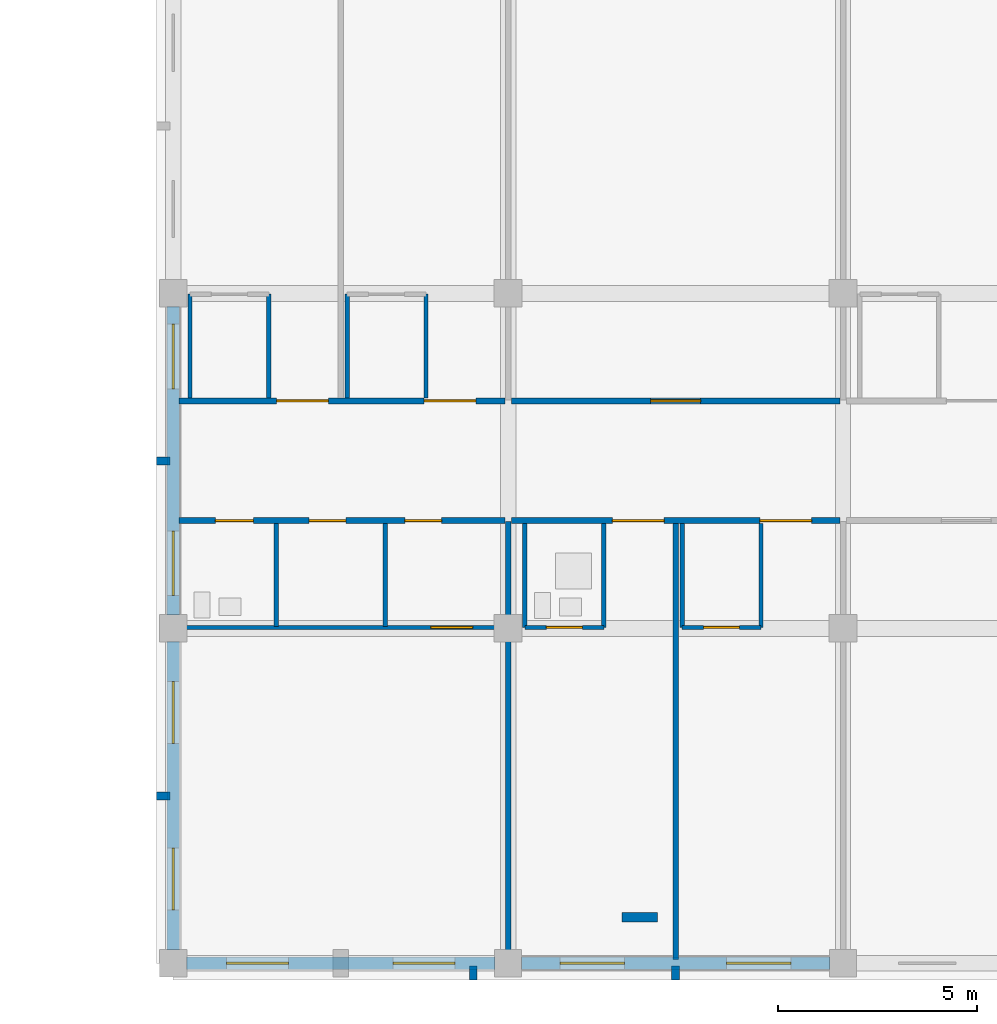
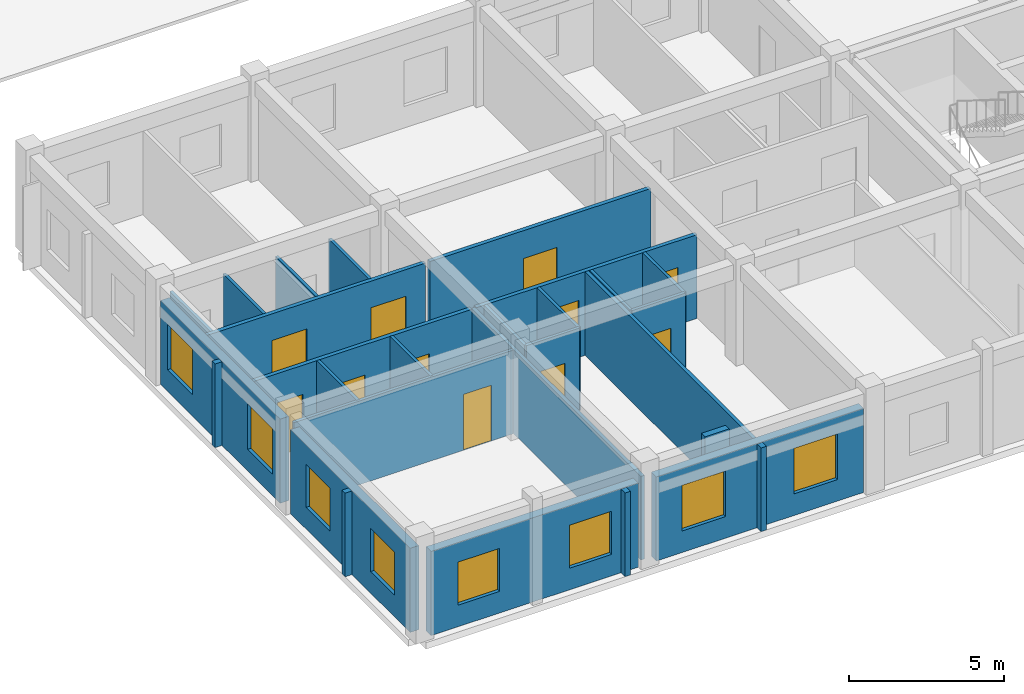
# One storey, part 106 of 140: 28 walls, 11 doors, 8 windows, 19 openings.
"""IFC4 building model written with IfcOpenShell, lengths in metres."""

from ifc_helpers import new_model, si_unit, direction, frame, frame_2d, origin, place, context, subcontext, project, spatial, rectangle, extrude, material, layer, layer_set, type_object, element, fill, save


model = new_model("IFC4")

# Units and contexts
model_context = context("Model", 3, precision=1e-05, world=origin(), true_north=direction((0.0, 1.0)))
body_context = subcontext(model_context, "Body", "Model", "MODEL_VIEW")
ifc_project = project(units=[si_unit("LENGTHUNIT", "METRE"), si_unit("AREAUNIT", "SQUARE_METRE"), si_unit("VOLUMEUNIT", "CUBIC_METRE"), si_unit("PLANEANGLEUNIT", "RADIAN"), si_unit("MASSUNIT", "GRAM", prefix="KILO")], contexts=[model_context])

# Site, building, storey
site_placement = place(None, origin())
site = spatial("IfcSite", under=ifc_project, at=site_placement, CompositionType="ELEMENT")
building_placement = place(site_placement, origin())
building = spatial("IfcBuilding", under=site, at=building_placement, Name="Trelvath General Hospital", CompositionType="ELEMENT")
storey_placement = place(building_placement, frame((0.0, 0.0, 16.199951171875)))
storey = spatial("IfcBuildingStorey", under=building, at=storey_placement, Name="L04", CompositionType="ELEMENT", Elevation=16.199951171875)

# Walls
ifc_material_1 = material(Name="Precast concrete C40/50", Category="concrete")
ifc_layer_1 = layer(ifc_material_1, 0.199951171875)
ifc_layer_set_1 = layer_set([ifc_layer_1], Name="Precast concrete C40/50")
wall_type_1 = type_object("IfcWallType", Name="BriseSoleilRib 200", PredefinedType="ELEMENTEDWALL", material=ifc_layer_set_1)
for number, where, z_axis, x_axis, name in (
    (1, (24.323974609375, -0.074951171875, 0.0), (0.0, 0.0, 1.0), (0.0, -1.0, 0.0), "Precast Concrete Brise-Soleil Rib Fin L04-302"),
    (2, (16.72509765625, 4.199951171875, 0.0), (0.0, 0.0, 1.0), (-1.0, 0.0, 0.0), "Precast Concrete Brise-Soleil Rib Fin L04-303"),
    (3, (16.72509765625, 12.60009765625, 0.0), (0.0, 0.0, 1.0), (-1.0, 0.0, 0.0), "Precast Concrete Brise-Soleil Rib Fin L04-304"),
    (4, (29.39990234375, -0.074951171875, 0.0), (0.0, 0.0, 1.0), (0.0, -1.0, 0.0), "Precast Concrete Brise-Soleil Rib Fin L04-312"),
):
    element("IfcWall", number, at=place(storey_placement, frame(where, z_axis=z_axis, x_axis=x_axis)), inside=storey, type_object=wall_type_1, Name=name, PredefinedType="ELEMENTEDWALL", context=body_context, shape_type="SweptSolid", body=[
        extrude(rectangle(XDim=0.340087890625, YDim=0.199951171875, at=frame_2d((0.169921875, 0.0))), origin(), (0.0, 0.0, 1.0), 3.300048828125),
    ])

# Wall, openings, doors
ifc_material_2 = material(Name="Gypsum acoustic steel-stud partition", Category="steel")
ifc_layer_2 = layer(ifc_material_2, 0.14990234375)
ifc_layer_set_2 = layer_set([ifc_layer_2], Name="Gypsum acoustic steel-stud partition")
wall_type_2 = type_object("IfcWallType", Name="ClinicalPartition 150", PredefinedType="PARTITIONING", material=ifc_layer_set_2)
wall_1_placement = place(storey_placement, frame((16.93994140625, 11.10009765625, 0.0), z_axis=(0.0, 0.0, 1.0), x_axis=(1.0, 0.0, 0.0)))
wall_1 = element("IfcWall", 5, at=wall_1_placement, inside=storey, type_object=wall_type_2, Name="Corridor Partition L04-1406", PredefinedType="PARTITIONING", context=body_context, shape_type="SweptSolid", body=[
    extrude(rectangle(XDim=8.18017578125, YDim=0.14990234375, at=frame_2d((4.090087890625, 0.0))), origin(), (0.0, 0.0, 1.0), 3.300048828125),
])
opening_1_placement = place(wall_1_placement, frame((0.919921875, 0.0, 0.0)))
opening_1 = element("IfcOpeningElement", 6, at=opening_1_placement, cuts=wall_1, Name="Opening D-4-0991", PredefinedType="OPENING", context=body_context, shape_type="SweptSolid", body=[
    extrude(rectangle(XDim=0.949951171875, YDim=2.14990234375, at=frame_2d((0.47509765625, 1.074951171875))), frame((0.0, 0.0849609375, 0.0), z_axis=(0.0, -1.0, 0.0), x_axis=(1.0, 0.0, 0.0)), (0.0, 0.0, 1.0), 0.169921875),
])
opening_2_placement = place(wall_1_placement, frame((3.27001953125, 0.0, 0.0)))
opening_2 = element("IfcOpeningElement", 7, at=opening_2_placement, cuts=wall_1, Name="Opening D-4-0992", PredefinedType="OPENING", context=body_context, shape_type="SweptSolid", body=[
    extrude(rectangle(XDim=0.919921875, YDim=2.10009765625, at=frame_2d((0.4599609375, 1.050048828125))), frame((0.0, 0.0849609375, 0.0), z_axis=(0.0, -1.0, 0.0), x_axis=(1.0, 0.0, 0.0)), (0.0, 0.0, 1.0), 0.169921875),
])
opening_3_placement = place(wall_1_placement, frame((5.669921875, 0.0, 0.0)))
opening_3 = element("IfcOpeningElement", 8, at=opening_3_placement, cuts=wall_1, Name="Opening D-4-0993", PredefinedType="OPENING", context=body_context, shape_type="SweptSolid", body=[
    extrude(rectangle(XDim=0.919921875, YDim=2.10009765625, at=frame_2d((0.4599609375, 1.050048828125))), frame((0.0, 0.0849609375, 0.0), z_axis=(0.0, -1.0, 0.0), x_axis=(1.0, 0.0, 0.0)), (0.0, 0.0, 1.0), 0.169921875),
])
ifc_material_3 = material(Name="Moisture-sealed timber leaf", Category="wood")
door_type_1 = type_object("IfcDoorType", Name="Door AccessibleWC 950x2150", OperationType="NOTDEFINED", PredefinedType="DOOR", material=ifc_material_3)
door_1_placement = place(opening_1_placement, origin())
door_1 = element("IfcDoor", 9, at=door_1_placement, inside=storey, type_object=door_type_1, Name="Accessible WC Door L04-991", OperationType="SINGLE_SWING_LEFT", OverallHeight=2.14990234375, OverallWidth=0.949951171875, PredefinedType="DOOR", context=body_context, shape_type="SweptSolid", body=[
    extrude(rectangle(XDim=0.949951171875, YDim=2.14990234375, at=frame_2d((0.47509765625, 1.074951171875))), frame((0.0, 0.02490234375, 0.0), z_axis=(0.0, -1.0, 0.0), x_axis=(1.0, 0.0, 0.0)), (0.0, 0.0, 1.0), 0.050048828125),
])
fill(opening_1, door_1)
ifc_material_4 = material(Name="Moisture-sealed timber leaf", Category="wood")
door_type_2 = type_object("IfcDoorType", Name="Door StaffWC 920x2100", OperationType="NOTDEFINED", PredefinedType="DOOR", material=ifc_material_4)
door_2_placement = place(opening_2_placement, origin())
door_2 = element("IfcDoor", 10, at=door_2_placement, inside=storey, type_object=door_type_2, Name="Public WC Door L04-992", OperationType="SINGLE_SWING_RIGHT", OverallHeight=2.10009765625, OverallWidth=0.919921875, PredefinedType="DOOR", context=body_context, shape_type="SweptSolid", body=[
    extrude(rectangle(XDim=0.919921875, YDim=2.10009765625, at=frame_2d((0.4599609375, 1.050048828125))), frame((0.0, 0.02490234375, 0.0), z_axis=(0.0, -1.0, 0.0), x_axis=(1.0, 0.0, 0.0)), (0.0, 0.0, 1.0), 0.050048828125),
])
fill(opening_2, door_2)
door_3_placement = place(opening_3_placement, origin())
door_3 = element("IfcDoor", 11, at=door_3_placement, inside=storey, type_object=door_type_2, Name="Staff WC Door L04-993", OperationType="SINGLE_SWING_LEFT", OverallHeight=2.10009765625, OverallWidth=0.919921875, PredefinedType="DOOR", context=body_context, shape_type="SweptSolid", body=[
    extrude(rectangle(XDim=0.919921875, YDim=2.10009765625, at=frame_2d((0.4599609375, 1.050048828125))), frame((0.0, 0.02490234375, 0.0), z_axis=(0.0, -1.0, 0.0), x_axis=(1.0, 0.0, 0.0)), (0.0, 0.0, 1.0), 0.050048828125),
])
fill(opening_3, door_3)

wall_2_placement = place(storey_placement, frame((25.1201171875, 14.10009765625, 0.0), z_axis=(0.0, 0.0, 1.0), x_axis=(-1.0, 0.0, 0.0)))
wall_2 = element("IfcWall", 12, at=wall_2_placement, inside=storey, type_object=wall_type_2, Name="Corridor Partition N L04-1410", PredefinedType="PARTITIONING", context=body_context, shape_type="SweptSolid", body=[
    extrude(rectangle(XDim=8.18017578125, YDim=0.14990234375, at=frame_2d((4.090087890625, 0.0))), origin(), (0.0, 0.0, 1.0), 3.300048828125),
])
opening_4_placement = place(wall_2_placement, frame((0.72998046875, 0.0, 0.0)))
opening_4 = element("IfcOpeningElement", 13, at=opening_4_placement, cuts=wall_2, Name="Opening D-4-0995", PredefinedType="OPENING", context=body_context, shape_type="SweptSolid", body=[
    extrude(rectangle(XDim=1.300048828125, YDim=2.25, at=frame_2d((0.64990234375, 1.125))), frame((0.0, 0.0849609375, 0.0), z_axis=(0.0, -1.0, 0.0), x_axis=(1.0, 0.0, 0.0)), (0.0, 0.0, 1.0), 0.169921875),
])
opening_5_placement = place(wall_2_placement, frame((4.429931640625, 0.0, 0.0)))
opening_5 = element("IfcOpeningElement", 14, at=opening_5_placement, cuts=wall_2, Name="Opening D-4-0996", PredefinedType="OPENING", context=body_context, shape_type="SweptSolid", body=[
    extrude(rectangle(XDim=1.300048828125, YDim=2.25, at=frame_2d((0.64990234375, 1.125))), frame((0.0, 0.0849609375, 0.0), z_axis=(0.0, -1.0, 0.0), x_axis=(1.0, 0.0, 0.0)), (0.0, 0.0, 1.0), 0.169921875),
])
ifc_material_5 = material(Name="Hospital bed-leaf timber door", Category="wood")
door_type_3 = type_object("IfcDoorType", Name="Door PatientBed 1300x2250", OperationType="NOTDEFINED", PredefinedType="DOOR", material=ifc_material_5)
door_4_placement = place(opening_4_placement, origin())
door_4 = element("IfcDoor", 15, at=door_4_placement, inside=storey, type_object=door_type_3, Name="Patient Room Door N L04-995", OperationType="SINGLE_SWING_LEFT", OverallHeight=2.25, OverallWidth=1.300048828125, PredefinedType="DOOR", context=body_context, shape_type="SweptSolid", body=[
    extrude(rectangle(XDim=1.300048828125, YDim=2.25, at=frame_2d((0.64990234375, 1.125))), frame((0.0, 0.02490234375, 0.0), z_axis=(0.0, -1.0, 0.0), x_axis=(1.0, 0.0, 0.0)), (0.0, 0.0, 1.0), 0.050048828125),
])
fill(opening_4, door_4)
door_5_placement = place(opening_5_placement, origin())
door_5 = element("IfcDoor", 16, at=door_5_placement, inside=storey, type_object=door_type_3, Name="Patient Room Door N L04-996", OperationType="SINGLE_SWING_LEFT", OverallHeight=2.25, OverallWidth=1.300048828125, PredefinedType="DOOR", context=body_context, shape_type="SweptSolid", body=[
    extrude(rectangle(XDim=1.300048828125, YDim=2.25, at=frame_2d((0.64990234375, 1.125))), frame((0.0, 0.02490234375, 0.0), z_axis=(0.0, -1.0, 0.0), x_axis=(1.0, 0.0, 0.0)), (0.0, 0.0, 1.0), 0.050048828125),
])
fill(opening_5, door_5)

wall_3_placement = place(storey_placement, frame((25.280029296875, 11.10009765625, 0.0), z_axis=(0.0, 0.0, 1.0), x_axis=(1.0, 0.0, 0.0)))
wall_3 = element("IfcWall", 17, at=wall_3_placement, inside=storey, type_object=wall_type_2, Name="Corridor Partition L04-1420", PredefinedType="PARTITIONING", context=body_context, shape_type="SweptSolid", body=[
    extrude(rectangle(XDim=8.239990234375, YDim=0.14990234375, at=frame_2d((4.1201171875, 0.0))), origin(), (0.0, 0.0, 1.0), 3.300048828125),
])
opening_6_placement = place(wall_3_placement, frame((2.530029296875, 0.0, 0.0)))
opening_6 = element("IfcOpeningElement", 18, at=opening_6_placement, cuts=wall_3, Name="Opening D-4-0999", PredefinedType="OPENING", context=body_context, shape_type="SweptSolid", body=[
    extrude(rectangle(XDim=1.300048828125, YDim=2.25, at=frame_2d((0.64990234375, 1.125))), frame((0.0, 0.0849609375, 0.0), z_axis=(0.0, -1.0, 0.0), x_axis=(1.0, 0.0, 0.0)), (0.0, 0.0, 1.0), 0.169921875),
])
opening_7_placement = place(wall_3_placement, frame((6.22998046875, 0.0, 0.0)))
opening_7 = element("IfcOpeningElement", 19, at=opening_7_placement, cuts=wall_3, Name="Opening D-4-1000", PredefinedType="OPENING", context=body_context, shape_type="SweptSolid", body=[
    extrude(rectangle(XDim=1.300048828125, YDim=2.25, at=frame_2d((0.64990234375, 1.125))), frame((0.0, 0.0849609375, 0.0), z_axis=(0.0, -1.0, 0.0), x_axis=(1.0, 0.0, 0.0)), (0.0, 0.0, 1.0), 0.169921875),
])
door_6_placement = place(opening_6_placement, origin())
door_6 = element("IfcDoor", 20, at=door_6_placement, inside=storey, type_object=door_type_3, Name="Patient Room Door L04-999", OperationType="SINGLE_SWING_RIGHT", OverallHeight=2.25, OverallWidth=1.300048828125, PredefinedType="DOOR", context=body_context, shape_type="SweptSolid", body=[
    extrude(rectangle(XDim=1.300048828125, YDim=2.25, at=frame_2d((0.64990234375, 1.125))), frame((0.0, 0.02490234375, 0.0), z_axis=(0.0, -1.0, 0.0), x_axis=(1.0, 0.0, 0.0)), (0.0, 0.0, 1.0), 0.050048828125),
])
fill(opening_6, door_6)
door_7_placement = place(opening_7_placement, origin())
door_7 = element("IfcDoor", 21, at=door_7_placement, inside=storey, type_object=door_type_3, Name="Patient Room Door L04-1000", OperationType="SINGLE_SWING_LEFT", OverallHeight=2.25, OverallWidth=1.300048828125, PredefinedType="DOOR", context=body_context, shape_type="SweptSolid", body=[
    extrude(rectangle(XDim=1.300048828125, YDim=2.25, at=frame_2d((0.64990234375, 1.125))), frame((0.0, 0.02490234375, 0.0), z_axis=(0.0, -1.0, 0.0), x_axis=(1.0, 0.0, 0.0)), (0.0, 0.0, 1.0), 0.050048828125),
])
fill(opening_7, door_7)

# Wall, opening, door
wall_4_placement = place(storey_placement, frame((33.52001953125, 14.10009765625, 0.0), z_axis=(0.0, 0.0, 1.0), x_axis=(-1.0, 0.0, 0.0)))
wall_4 = element("IfcWall", 22, at=wall_4_placement, inside=storey, type_object=wall_type_2, Name="Corridor Partition N L04-1429", PredefinedType="PARTITIONING", context=body_context, shape_type="SweptSolid", body=[
    extrude(rectangle(XDim=8.239990234375, YDim=0.14990234375, at=frame_2d((4.1201171875, 0.0))), origin(), (0.0, 0.0, 1.0), 3.300048828125),
])
opening_8_placement = place(wall_4_placement, frame((3.4951171875, 0.0, 0.0)))
opening_8 = element("IfcOpeningElement", 23, at=opening_8_placement, cuts=wall_4, Name="Opening D-4-1003", PredefinedType="OPENING", context=body_context, shape_type="SweptSolid", body=[
    extrude(rectangle(XDim=1.25, YDim=2.199951171875, at=frame_2d((0.625, 1.10009765625))), frame((0.0, 0.0849609375, 0.0), z_axis=(0.0, -1.0, 0.0), x_axis=(1.0, 0.0, 0.0)), (0.0, 0.0, 1.0), 0.169921875),
])
ifc_material_6 = material(Name="Acoustic hospital timber leaf", Category="wood")
door_type_4 = type_object("IfcDoorType", Name="Door Treatment 1250x2200", OperationType="NOTDEFINED", PredefinedType="DOOR", material=ifc_material_6)
door_8_placement = place(opening_8_placement, origin())
door_8 = element("IfcDoor", 24, at=door_8_placement, inside=storey, type_object=door_type_4, Name="Clinical Room Door L04-1003", OperationType="SINGLE_SWING_RIGHT", OverallHeight=2.199951171875, OverallWidth=1.25, PredefinedType="DOOR", context=body_context, shape_type="SweptSolid", body=[
    extrude(rectangle(XDim=1.25, YDim=2.199951171875, at=frame_2d((0.625, 1.10009765625))), frame((0.0, 0.02490234375, 0.0), z_axis=(0.0, -1.0, 0.0), x_axis=(1.0, 0.0, 0.0)), (0.0, 0.0, 1.0), 0.050048828125),
])
fill(opening_8, door_8)

# Walls
ifc_material_7 = material(Name="Moisture-resistant tile partition")
ifc_layer_3 = layer(ifc_material_7, 0.110107421875)
ifc_layer_set_3 = layer_set([ifc_layer_3], Name="Moisture-resistant tile partition")
wall_type_3 = type_object("IfcWallType", Name="EnSuiteWetWall 110", PredefinedType="PARTITIONING", material=ifc_layer_set_3)
for number, where, z_axis, x_axis, name in (
    (25, (19.3798828125, 8.43994140625, 0.0), (0.0, 0.0, 1.0), (0.0, 1.0, 0.0), "WC Dividing Wall L04-1407"),
    (26, (22.1201171875, 8.43994140625, 0.0), (0.0, 0.0, 1.0), (0.0, 1.0, 0.0), "WC Dividing Wall L04-1408"),
):
    element("IfcWall", number, at=place(storey_placement, frame(where, z_axis=z_axis, x_axis=x_axis)), inside=storey, type_object=wall_type_3, Name=name, PredefinedType="PARTITIONING", context=body_context, shape_type="SweptSolid", body=[
        extrude(rectangle(XDim=2.590087890625, YDim=0.110107421875, at=frame_2d((1.294921875, 0.0))), origin(), (0.0, 0.0, 1.0), 3.300048828125),
    ])

# Wall, opening, door
wall_5_placement = place(storey_placement, frame((16.93994140625, 8.419921875, 0.0), z_axis=(0.0, 0.0, 1.0), x_axis=(1.0, 0.0, 0.0)))
wall_5 = element("IfcWall", 27, at=wall_5_placement, inside=storey, type_object=wall_type_3, Name="Nurse Station Partition L04-1409", PredefinedType="PARTITIONING", context=body_context, shape_type="SweptSolid", body=[
    extrude(rectangle(XDim=8.18017578125, YDim=0.110107421875, at=frame_2d((4.090087890625, 0.0))), origin(), (0.0, 0.0, 1.0), 3.300048828125),
])
opening_9_placement = place(wall_5_placement, frame((6.320068359375, 0.0, 0.0)))
opening_9 = element("IfcOpeningElement", 28, at=opening_9_placement, cuts=wall_5, Name="Opening D-4-0994", PredefinedType="OPENING", context=body_context, shape_type="SweptSolid", body=[
    extrude(rectangle(XDim=1.050048828125, YDim=2.199951171875, at=frame_2d((0.52490234375, 1.10009765625))), frame((0.0, 0.06494140625, 0.0), z_axis=(0.0, -1.0, 0.0), x_axis=(1.0, 0.0, 0.0)), (0.0, 0.0, 1.0), 0.130126953125),
])
ifc_material_8 = material(Name="Acoustic hospital timber leaf", Category="wood")
door_type_5 = type_object("IfcDoorType", Name="Door Consult 1050x2200", OperationType="NOTDEFINED", PredefinedType="DOOR", material=ifc_material_8)
door_9_placement = place(opening_9_placement, origin())
door_9 = element("IfcDoor", 29, at=door_9_placement, inside=storey, type_object=door_type_5, Name="Nurse Station Door L04-994", OperationType="SINGLE_SWING_RIGHT", OverallHeight=2.199951171875, OverallWidth=1.050048828125, PredefinedType="DOOR", context=body_context, shape_type="SweptSolid", body=[
    extrude(rectangle(XDim=1.050048828125, YDim=2.199951171875, at=frame_2d((0.52490234375, 1.10009765625))), frame((0.0, 0.02490234375, 0.0), z_axis=(0.0, -1.0, 0.0), x_axis=(1.0, 0.0, 0.0)), (0.0, 0.0, 1.0), 0.050048828125),
])
fill(opening_9, door_9)

# Walls
for number, where, z_axis, x_axis, name in (
    (30, (17.219970703125, 14.169921875, 0.0), (0.0, 0.0, 1.0), (0.0, 1.0, 0.0), "En-Suite W Wall N L04-1412"),
    (31, (19.199951171875, 14.169921875, 0.0), (0.0, 0.0, 1.0), (0.0, 1.0, 0.0), "En-Suite E Wall N L04-1413"),
    (32, (21.159912109375, 14.169921875, 0.0), (0.0, 0.0, 1.0), (0.0, 1.0, 0.0), "En-Suite W Wall N L04-1415"),
    (33, (23.139892578125, 14.169921875, 0.0), (0.0, 0.0, 1.0), (0.0, 1.0, 0.0), "En-Suite E Wall N L04-1416"),
    (34, (25.6201171875, 8.419921875, 0.0), (0.0, 0.0, 1.0), (0.0, 1.0, 0.0), "En-Suite W Wall L04-1422"),
    (35, (27.60009765625, 8.419921875, 0.0), (0.0, 0.0, 1.0), (0.0, 1.0, 0.0), "En-Suite E Wall L04-1423"),
):
    element("IfcWall", number, at=place(storey_placement, frame(where, z_axis=z_axis, x_axis=x_axis)), inside=storey, type_object=wall_type_3, Name=name, PredefinedType="PARTITIONING", context=body_context, shape_type="SweptSolid", body=[
        extrude(rectangle(XDim=2.610107421875, YDim=0.110107421875, at=frame_2d((1.30517578125, 0.0))), origin(), (0.0, 0.0, 1.0), 3.300048828125),
    ])

# Wall, opening, door
wall_6_placement = place(storey_placement, frame((25.6201171875, 8.419921875, 0.0), z_axis=(0.0, 0.0, 1.0), x_axis=(1.0, 0.0, 0.0)))
wall_6 = element("IfcWall", 36, at=wall_6_placement, inside=storey, type_object=wall_type_3, Name="En-Suite Bathroom Partition L04-1424", PredefinedType="PARTITIONING", context=body_context, shape_type="SweptSolid", body=[
    extrude(rectangle(XDim=1.97998046875, YDim=0.110107421875, at=frame_2d((0.989990234375, 0.0))), origin(), (0.0, 0.0, 1.0), 3.300048828125),
])
opening_10_placement = place(wall_6_placement, frame((0.5400390625, 0.0, 0.0)))
opening_10 = element("IfcOpeningElement", 37, at=opening_10_placement, cuts=wall_6, Name="Opening D-4-1001", PredefinedType="OPENING", context=body_context, shape_type="SweptSolid", body=[
    extrude(rectangle(XDim=0.89990234375, YDim=2.10009765625, at=frame_2d((0.449951171875, 1.050048828125))), frame((0.0, 0.06494140625, 0.0), z_axis=(0.0, -1.0, 0.0), x_axis=(1.0, 0.0, 0.0)), (0.0, 0.0, 1.0), 0.130126953125),
])
ifc_material_9 = material(Name="Moisture-sealed timber leaf", Category="wood")
door_type_6 = type_object("IfcDoorType", Name="Door EnSuite 900x2100", OperationType="NOTDEFINED", PredefinedType="DOOR", material=ifc_material_9)
door_10_placement = place(opening_10_placement, origin())
door_10 = element("IfcDoor", 38, at=door_10_placement, inside=storey, type_object=door_type_6, Name="En-Suite Bathroom Door L04-1001", OperationType="SINGLE_SWING_RIGHT", OverallHeight=2.10009765625, OverallWidth=0.89990234375, PredefinedType="DOOR", context=body_context, shape_type="SweptSolid", body=[
    extrude(rectangle(XDim=0.89990234375, YDim=2.10009765625, at=frame_2d((0.449951171875, 1.050048828125))), frame((0.0, 0.02490234375, 0.0), z_axis=(0.0, -1.0, 0.0), x_axis=(1.0, 0.0, 0.0)), (0.0, 0.0, 1.0), 0.050048828125),
])
fill(opening_10, door_10)

# Walls
for number, where, z_axis, x_axis, name in (
    (39, (29.56005859375, 8.419921875, 0.0), (0.0, 0.0, 1.0), (0.0, 1.0, 0.0), "En-Suite W Wall L04-1425"),
    (40, (31.5400390625, 8.419921875, 0.0), (0.0, 0.0, 1.0), (0.0, 1.0, 0.0), "En-Suite E Wall L04-1426"),
):
    element("IfcWall", number, at=place(storey_placement, frame(where, z_axis=z_axis, x_axis=x_axis)), inside=storey, type_object=wall_type_3, Name=name, PredefinedType="PARTITIONING", context=body_context, shape_type="SweptSolid", body=[
        extrude(rectangle(XDim=2.610107421875, YDim=0.110107421875, at=frame_2d((1.30517578125, 0.0))), origin(), (0.0, 0.0, 1.0), 3.300048828125),
    ])

# Wall, opening, door
wall_7_placement = place(storey_placement, frame((29.56005859375, 8.419921875, 0.0), z_axis=(0.0, 0.0, 1.0), x_axis=(1.0, 0.0, 0.0)))
wall_7 = element("IfcWall", 41, at=wall_7_placement, inside=storey, type_object=wall_type_3, Name="En-Suite Bathroom Partition L04-1427", PredefinedType="PARTITIONING", context=body_context, shape_type="SweptSolid", body=[
    extrude(rectangle(XDim=1.97998046875, YDim=0.110107421875, at=frame_2d((0.989990234375, 0.0))), origin(), (0.0, 0.0, 1.0), 3.300048828125),
])
opening_11_placement = place(wall_7_placement, frame((0.5400390625, 0.0, 0.0)))
opening_11 = element("IfcOpeningElement", 42, at=opening_11_placement, cuts=wall_7, Name="Opening D-4-1002", PredefinedType="OPENING", context=body_context, shape_type="SweptSolid", body=[
    extrude(rectangle(XDim=0.89990234375, YDim=2.10009765625, at=frame_2d((0.449951171875, 1.050048828125))), frame((0.0, 0.06494140625, 0.0), z_axis=(0.0, -1.0, 0.0), x_axis=(1.0, 0.0, 0.0)), (0.0, 0.0, 1.0), 0.130126953125),
])
door_11_placement = place(opening_11_placement, origin())
door_11 = element("IfcDoor", 43, at=door_11_placement, inside=storey, type_object=door_type_6, Name="En-Suite Bathroom Door L04-1002", OperationType="SINGLE_SWING_LEFT", OverallHeight=2.10009765625, OverallWidth=0.89990234375, PredefinedType="DOOR", context=body_context, shape_type="SweptSolid", body=[
    extrude(rectangle(XDim=0.89990234375, YDim=2.10009765625, at=frame_2d((0.449951171875, 1.050048828125))), frame((0.0, 0.02490234375, 0.0), z_axis=(0.0, -1.0, 0.0), x_axis=(1.0, 0.0, 0.0)), (0.0, 0.0, 1.0), 0.050048828125),
])
fill(opening_11, door_11)

# Wall, openings, windows
ifc_material_10 = material(Name="Concrete C35/45", Category="concrete")
ifc_layer_4 = layer(ifc_material_10, 0.320068359375)
ifc_layer_set_4 = layer_set([ifc_layer_4], Name="Concrete C35/45")
wall_type_4 = type_object("IfcWallType", Name="ExtThermalWall 320", PredefinedType="SOLIDWALL", material=ifc_layer_set_4)
wall_8_placement = place(storey_placement, frame((24.864990234375, 0.0, 0.0), z_axis=(0.0, 0.0, 1.0), x_axis=(-1.0, 0.0, 0.0)))
wall_8 = element("IfcWall", 44, at=wall_8_placement, inside=storey, type_object=wall_type_4, Name="Exterior Concrete Wall L04-420", PredefinedType="SOLIDWALL", context=body_context, shape_type="SweptSolid", body=[
    extrude(rectangle(XDim=7.72998046875, YDim=0.320068359375, at=frame_2d((3.864990234375, 0.0))), origin(), (0.0, 0.0, 1.0), 3.320068359375),
])
opening_12_placement = place(wall_8_placement, frame((0.997802734375, 0.0, 0.85009765625)))
opening_12 = element("IfcOpeningElement", 45, at=opening_12_placement, cuts=wall_8, Name="Opening WN-4-689", PredefinedType="OPENING", context=body_context, shape_type="SweptSolid", body=[
    extrude(rectangle(XDim=1.56005859375, YDim=1.699951171875, at=frame_2d((0.780029296875, 0.85009765625))), frame((0.0, 0.169921875, 0.0), z_axis=(0.0, -1.0, 0.0), x_axis=(1.0, 0.0, 0.0)), (0.0, 0.0, 1.0), 0.340087890625),
])
opening_13_placement = place(wall_8_placement, frame((5.172119140625, 0.0, 0.85009765625)))
opening_13 = element("IfcOpeningElement", 46, at=opening_13_placement, cuts=wall_8, Name="Opening WN-4-690", PredefinedType="OPENING", context=body_context, shape_type="SweptSolid", body=[
    extrude(rectangle(XDim=1.56005859375, YDim=1.699951171875, at=frame_2d((0.780029296875, 0.85009765625))), frame((0.0, 0.169921875, 0.0), z_axis=(0.0, -1.0, 0.0), x_axis=(1.0, 0.0, 0.0)), (0.0, 0.0, 1.0), 0.340087890625),
])
ifc_material_11 = material(Name="Low-E laminated glass", Category="glass")
window_type_1 = type_object("IfcWindowType", Name="Window Dialysis 1560x1700", PartitioningType="DOUBLE_PANEL_VERTICAL", PredefinedType="WINDOW", material=ifc_material_11)
window_1_placement = place(opening_12_placement, origin())
window_1 = element("IfcWindow", 47, at=window_1_placement, inside=storey, type_object=window_type_1, Name="Solar Reveal Window L04-689", OverallHeight=1.699951171875, OverallWidth=1.56005859375, PartitioningType="SINGLE_PANEL", PredefinedType="WINDOW", context=body_context, shape_type="SweptSolid", body=[
    extrude(rectangle(XDim=1.56005859375, YDim=1.699951171875, at=frame_2d((0.780029296875, 0.85009765625))), frame((0.0, 0.030029296875, 0.0), z_axis=(0.0, -1.0, 0.0), x_axis=(1.0, 0.0, 0.0)), (0.0, 0.0, 1.0), 0.06005859375),
])
fill(opening_12, window_1)
window_2_placement = place(opening_13_placement, origin())
window_2 = element("IfcWindow", 48, at=window_2_placement, inside=storey, type_object=window_type_1, Name="Solar Reveal Window L04-690", OverallHeight=1.699951171875, OverallWidth=1.56005859375, PartitioningType="SINGLE_PANEL", PredefinedType="WINDOW", context=body_context, shape_type="SweptSolid", body=[
    extrude(rectangle(XDim=1.56005859375, YDim=1.699951171875, at=frame_2d((0.780029296875, 0.85009765625))), frame((0.0, 0.030029296875, 0.0), z_axis=(0.0, -1.0, 0.0), x_axis=(1.0, 0.0, 0.0)), (0.0, 0.0, 1.0), 0.06005859375),
])
fill(opening_13, window_2)

wall_9_placement = place(storey_placement, frame((16.800048828125, 0.3349609375, 0.0), z_axis=(0.0, 0.0, 1.0), x_axis=(0.0, 1.0, 0.0)))
wall_9 = element("IfcWall", 49, at=wall_9_placement, inside=storey, type_object=wall_type_4, Name="Exterior Concrete Wall L04-421", PredefinedType="SOLIDWALL", context=body_context, shape_type="SweptSolid", body=[
    extrude(rectangle(XDim=7.72998046875, YDim=0.320068359375, at=frame_2d((3.864990234375, 0.0))), origin(), (0.0, 0.0, 1.0), 3.320068359375),
])
opening_14_placement = place(wall_9_placement, frame((0.997802734375, 0.0, 0.85009765625)))
opening_14 = element("IfcOpeningElement", 50, at=opening_14_placement, cuts=wall_9, Name="Opening WN-4-691", PredefinedType="OPENING", context=body_context, shape_type="SweptSolid", body=[
    extrude(rectangle(XDim=1.56005859375, YDim=1.699951171875, at=frame_2d((0.780029296875, 0.85009765625))), frame((0.0, 0.169921875, 0.0), z_axis=(0.0, -1.0, 0.0), x_axis=(1.0, 0.0, 0.0)), (0.0, 0.0, 1.0), 0.340087890625),
])
opening_15_placement = place(wall_9_placement, frame((5.172119140625, 0.0, 0.85009765625)))
opening_15 = element("IfcOpeningElement", 51, at=opening_15_placement, cuts=wall_9, Name="Opening WN-4-692", PredefinedType="OPENING", context=body_context, shape_type="SweptSolid", body=[
    extrude(rectangle(XDim=1.56005859375, YDim=1.699951171875, at=frame_2d((0.780029296875, 0.85009765625))), frame((0.0, 0.169921875, 0.0), z_axis=(0.0, -1.0, 0.0), x_axis=(1.0, 0.0, 0.0)), (0.0, 0.0, 1.0), 0.340087890625),
])
window_3_placement = place(opening_14_placement, origin())
window_3 = element("IfcWindow", 52, at=window_3_placement, inside=storey, type_object=window_type_1, Name="Solar Reveal Window L04-691", OverallHeight=1.699951171875, OverallWidth=1.56005859375, PartitioningType="SINGLE_PANEL", PredefinedType="WINDOW", context=body_context, shape_type="SweptSolid", body=[
    extrude(rectangle(XDim=1.56005859375, YDim=1.699951171875, at=frame_2d((0.780029296875, 0.85009765625))), frame((0.0, 0.030029296875, 0.0), z_axis=(0.0, -1.0, 0.0), x_axis=(1.0, 0.0, 0.0)), (0.0, 0.0, 1.0), 0.06005859375),
])
fill(opening_14, window_3)
window_4_placement = place(opening_15_placement, origin())
window_4 = element("IfcWindow", 53, at=window_4_placement, inside=storey, type_object=window_type_1, Name="Solar Reveal Window L04-692", OverallHeight=1.699951171875, OverallWidth=1.56005859375, PartitioningType="SINGLE_PANEL", PredefinedType="WINDOW", context=body_context, shape_type="SweptSolid", body=[
    extrude(rectangle(XDim=1.56005859375, YDim=1.699951171875, at=frame_2d((0.780029296875, 0.85009765625))), frame((0.0, 0.030029296875, 0.0), z_axis=(0.0, -1.0, 0.0), x_axis=(1.0, 0.0, 0.0)), (0.0, 0.0, 1.0), 0.06005859375),
])
fill(opening_15, window_4)

wall_10_placement = place(storey_placement, frame((16.800048828125, 8.735107421875, 0.0), z_axis=(0.0, 0.0, 1.0), x_axis=(0.0, 1.0, 0.0)))
wall_10 = element("IfcWall", 54, at=wall_10_placement, inside=storey, type_object=wall_type_4, Name="Exterior Concrete Wall L04-422", PredefinedType="SOLIDWALL", context=body_context, shape_type="SweptSolid", body=[
    extrude(rectangle(XDim=7.72998046875, YDim=0.320068359375, at=frame_2d((3.864990234375, 0.0))), origin(), (0.0, 0.0, 1.0), 3.320068359375),
])
opening_16_placement = place(wall_10_placement, frame((0.489990234375, 0.0, 0.85009765625)))
opening_16 = element("IfcOpeningElement", 55, at=opening_16_placement, cuts=wall_10, Name="Opening WN-4-693", PredefinedType="OPENING", context=body_context, shape_type="SweptSolid", body=[
    extrude(rectangle(XDim=1.6201171875, YDim=1.800048828125, at=frame_2d((0.81005859375, 0.89990234375))), frame((0.0, 0.169921875, 0.0), z_axis=(0.0, -1.0, 0.0), x_axis=(1.0, 0.0, 0.0)), (0.0, 0.0, 1.0), 0.340087890625),
])
opening_17_placement = place(wall_10_placement, frame((5.669921875, 0.0, 0.85009765625)))
opening_17 = element("IfcOpeningElement", 56, at=opening_17_placement, cuts=wall_10, Name="Opening WN-4-694", PredefinedType="OPENING", context=body_context, shape_type="SweptSolid", body=[
    extrude(rectangle(XDim=1.6201171875, YDim=1.800048828125, at=frame_2d((0.81005859375, 0.89990234375))), frame((0.0, 0.169921875, 0.0), z_axis=(0.0, -1.0, 0.0), x_axis=(1.0, 0.0, 0.0)), (0.0, 0.0, 1.0), 0.340087890625),
])
ifc_material_12 = material(Name="Low-E laminated glass", Category="glass")
window_type_2 = type_object("IfcWindowType", Name="Window Rehab 1620x1800", PartitioningType="DOUBLE_PANEL_VERTICAL", PredefinedType="WINDOW", material=ifc_material_12)
window_5_placement = place(opening_16_placement, origin())
window_5 = element("IfcWindow", 57, at=window_5_placement, inside=storey, type_object=window_type_2, Name="Solar Reveal Window L04-693", OverallHeight=1.800048828125, OverallWidth=1.6201171875, PartitioningType="SINGLE_PANEL", PredefinedType="WINDOW", context=body_context, shape_type="SweptSolid", body=[
    extrude(rectangle(XDim=1.6201171875, YDim=1.800048828125, at=frame_2d((0.81005859375, 0.89990234375))), frame((0.0, 0.030029296875, 0.0), z_axis=(0.0, -1.0, 0.0), x_axis=(1.0, 0.0, 0.0)), (0.0, 0.0, 1.0), 0.06005859375),
])
fill(opening_16, window_5)
window_6_placement = place(opening_17_placement, origin())
window_6 = element("IfcWindow", 58, at=window_6_placement, inside=storey, type_object=window_type_2, Name="Solar Reveal Window L04-694", OverallHeight=1.800048828125, OverallWidth=1.6201171875, PartitioningType="SINGLE_PANEL", PredefinedType="WINDOW", context=body_context, shape_type="SweptSolid", body=[
    extrude(rectangle(XDim=1.6201171875, YDim=1.800048828125, at=frame_2d((0.81005859375, 0.89990234375))), frame((0.0, 0.030029296875, 0.0), z_axis=(0.0, -1.0, 0.0), x_axis=(1.0, 0.0, 0.0)), (0.0, 0.0, 1.0), 0.06005859375),
])
fill(opening_17, window_6)

wall_11_placement = place(storey_placement, frame((33.264892578125, 0.0, 0.0), z_axis=(0.0, 0.0, 1.0), x_axis=(-1.0, 0.0, 0.0)))
wall_11 = element("IfcWall", 59, at=wall_11_placement, inside=storey, type_object=wall_type_4, Name="Exterior Concrete Wall L04-430", PredefinedType="SOLIDWALL", context=body_context, shape_type="SweptSolid", body=[
    extrude(rectangle(XDim=7.72998046875, YDim=0.320068359375, at=frame_2d((3.864990234375, 0.0))), origin(), (0.0, 0.0, 1.0), 3.320068359375),
])
opening_18_placement = place(wall_11_placement, frame((0.968017578125, 0.0, 0.85009765625)))
opening_18 = element("IfcOpeningElement", 60, at=opening_18_placement, cuts=wall_11, Name="Opening WN-4-709", PredefinedType="OPENING", context=body_context, shape_type="SweptSolid", body=[
    extrude(rectangle(XDim=1.6201171875, YDim=1.800048828125, at=frame_2d((0.81005859375, 0.89990234375))), frame((0.0, 0.169921875, 0.0), z_axis=(0.0, -1.0, 0.0), x_axis=(1.0, 0.0, 0.0)), (0.0, 0.0, 1.0), 0.340087890625),
])
opening_19_placement = place(wall_11_placement, frame((5.14208984375, 0.0, 0.85009765625)))
opening_19 = element("IfcOpeningElement", 61, at=opening_19_placement, cuts=wall_11, Name="Opening WN-4-710", PredefinedType="OPENING", context=body_context, shape_type="SweptSolid", body=[
    extrude(rectangle(XDim=1.6201171875, YDim=1.800048828125, at=frame_2d((0.81005859375, 0.89990234375))), frame((0.0, 0.169921875, 0.0), z_axis=(0.0, -1.0, 0.0), x_axis=(1.0, 0.0, 0.0)), (0.0, 0.0, 1.0), 0.340087890625),
])
window_7_placement = place(opening_18_placement, origin())
window_7 = element("IfcWindow", 62, at=window_7_placement, inside=storey, type_object=window_type_2, Name="Solar Reveal Window L04-709", OverallHeight=1.800048828125, OverallWidth=1.6201171875, PartitioningType="SINGLE_PANEL", PredefinedType="WINDOW", context=body_context, shape_type="SweptSolid", body=[
    extrude(rectangle(XDim=1.6201171875, YDim=1.800048828125, at=frame_2d((0.81005859375, 0.89990234375))), frame((0.0, 0.030029296875, 0.0), z_axis=(0.0, -1.0, 0.0), x_axis=(1.0, 0.0, 0.0)), (0.0, 0.0, 1.0), 0.06005859375),
])
fill(opening_18, window_7)
window_8_placement = place(opening_19_placement, origin())
window_8 = element("IfcWindow", 63, at=window_8_placement, inside=storey, type_object=window_type_2, Name="Solar Reveal Window L04-710", OverallHeight=1.800048828125, OverallWidth=1.6201171875, PartitioningType="SINGLE_PANEL", PredefinedType="WINDOW", context=body_context, shape_type="SweptSolid", body=[
    extrude(rectangle(XDim=1.6201171875, YDim=1.800048828125, at=frame_2d((0.81005859375, 0.89990234375))), frame((0.0, 0.030029296875, 0.0), z_axis=(0.0, -1.0, 0.0), x_axis=(1.0, 0.0, 0.0)), (0.0, 0.0, 1.0), 0.06005859375),
])
fill(opening_19, window_8)

# Walls
ifc_material_13 = material(Name="Masonry service chase blockwork", Category="masonry")
ifc_layer_5 = layer(ifc_material_13, 0.239990234375)
ifc_layer_set_5 = layer_set([ifc_layer_5], Name="Masonry service chase blockwork")
wall_type_5 = type_object("IfcWallType", Name="PlumbingChaseWall 240", PredefinedType="PLUMBINGWALL", material=ifc_layer_set_5)
wall_12_placement = place(storey_placement, frame((28.050048828125, 1.14990234375, 0.0), z_axis=(0.0, 0.0, 1.0), x_axis=(1.0, 0.0, 0.0)))
element("IfcWall", 64, at=wall_12_placement, inside=storey, type_object=wall_type_5, Name="Medical Gas Plumbing Chase L04-1428", PredefinedType="PLUMBINGWALL", context=body_context, shape_type="SweptSolid", body=[
    extrude(rectangle(XDim=0.89990234375, YDim=0.239990234375, at=frame_2d((0.449951171875, 0.0))), origin(), (0.0, 0.0, 1.0), 3.300048828125),
])
ifc_material_14 = material(Name="Gypsum acoustic steel-stud partition", Category="steel")
ifc_layer_6 = layer(ifc_material_14, 0.1298828125)
ifc_layer_set_6 = layer_set([ifc_layer_6], Name="Gypsum acoustic steel-stud partition")
wall_type_6 = type_object("IfcWallType", Name="WardPartition 130", PredefinedType="PARTITIONING", material=ifc_layer_set_6)
wall_13_placement = place(storey_placement, frame((25.199951171875, 0.139892578125, 0.0), z_axis=(0.0, 0.0, 1.0), x_axis=(0.0, 1.0, 0.0)))
element("IfcWall", 65, at=wall_13_placement, inside=storey, type_object=wall_type_6, Name="Inter-Bay Ward Partition S L04-1418", PredefinedType="PARTITIONING", context=body_context, shape_type="SweptSolid", body=[
    extrude(rectangle(XDim=10.940185546875, YDim=0.1298828125, at=frame_2d((5.47021484375, 0.0))), origin(), (0.0, 0.0, 1.0), 3.300048828125),
])
wall_14_placement = place(storey_placement, frame((29.39990234375, 0.10009765625, 0.0), z_axis=(0.0, 0.0, 1.0), x_axis=(0.0, 1.0, 0.0)))
element("IfcWall", 66, at=wall_14_placement, inside=storey, type_object=wall_type_6, Name="Room Dividing Partition S L04-1421", PredefinedType="PARTITIONING", context=body_context, shape_type="SweptSolid", body=[
    extrude(rectangle(XDim=10.929931640625, YDim=0.1298828125, at=frame_2d((5.46484375, 0.0))), origin(), (0.0, 0.0, 1.0), 3.300048828125),
])

save(model, "model.ifc")
